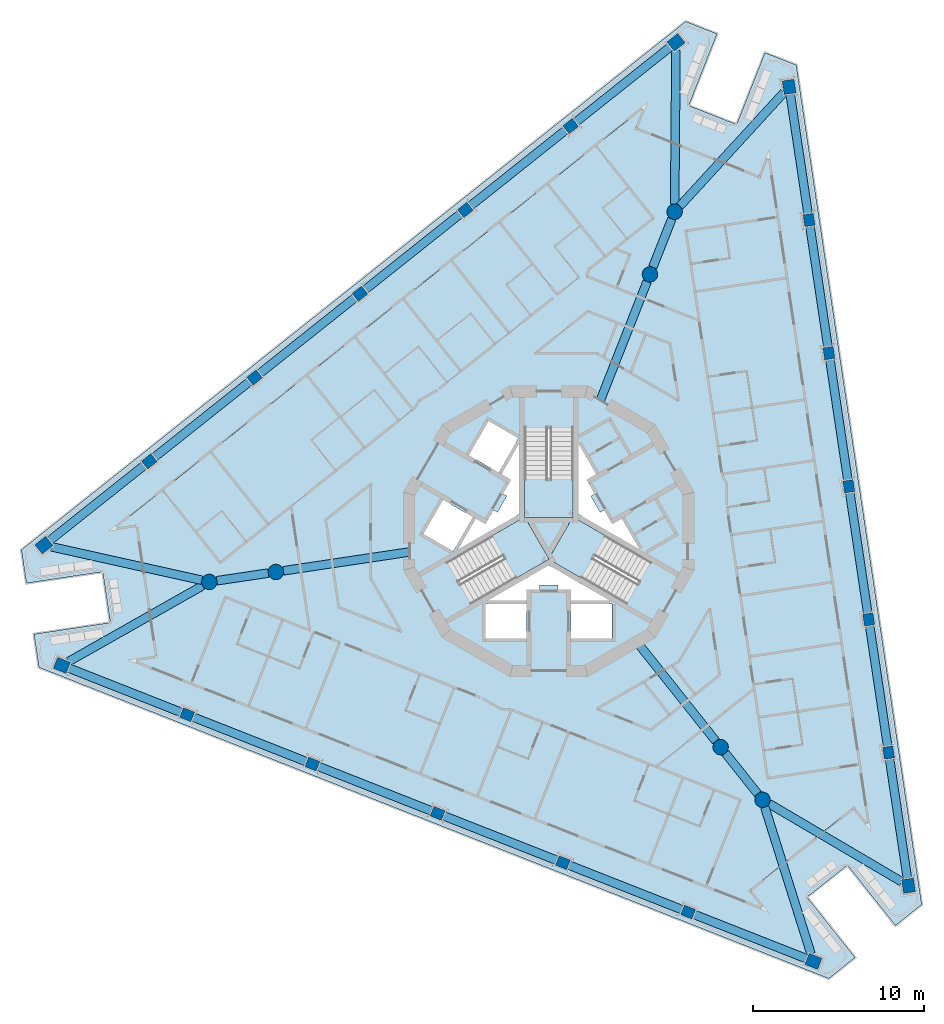
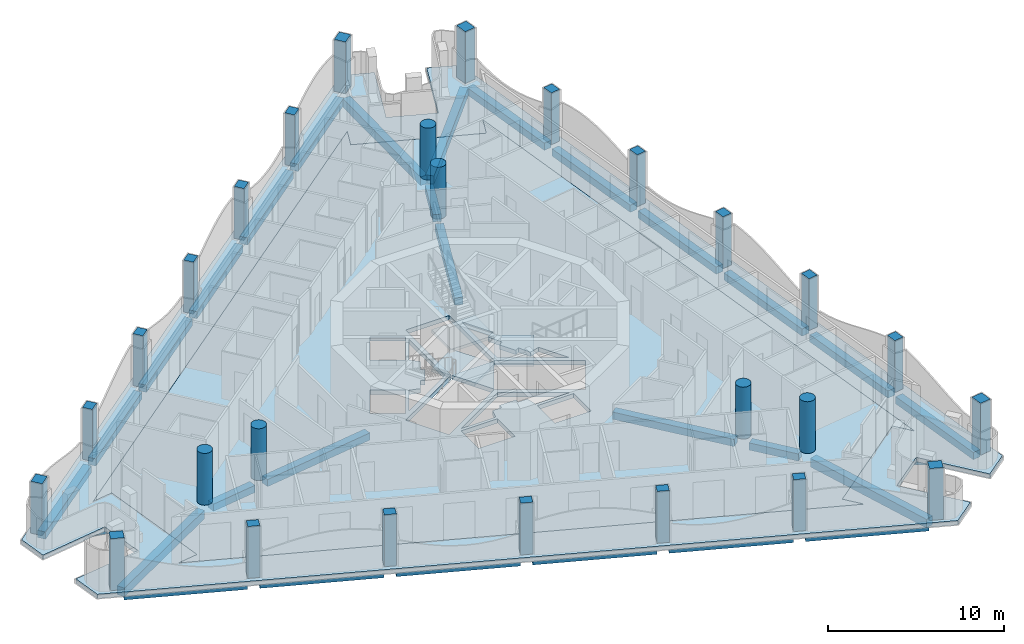
# One storey, part 1 of 17: 30 beams, 27 columns, 6 slabs, 3 elements without a shape of their own.
"""IFC4 building model written with IfcOpenShell, lengths in metres."""

from ifc_helpers import new_model, si_unit, direction, frame, origin, origin_2d, place, context, subcontext, project, spatial, polyline, rectangle, circle, outline, extrude, material, layer, layer_set, material_profile, profile_set, type_object, element, aggregate, save


model = new_model("IFC4")

# Units and contexts
model_context = context("Model", 3, precision=1e-05, world=origin(), true_north=direction((0.0, 1.0)))
body_context = subcontext(model_context, "Body", "Model", "MODEL_VIEW")
ifc_project = project(units=[si_unit("LENGTHUNIT", "METRE"), si_unit("AREAUNIT", "SQUARE_METRE"), si_unit("VOLUMEUNIT", "CUBIC_METRE"), si_unit("PLANEANGLEUNIT", "RADIAN"), si_unit("MASSUNIT", "GRAM", prefix="KILO")], contexts=[model_context])

# Site, building, storey
site_placement = place(None, origin())
site = spatial("IfcSite", under=ifc_project, at=site_placement, CompositionType="ELEMENT")
building_placement = place(site_placement, origin())
building = spatial("IfcBuilding", under=site, at=building_placement, Name="Trine Commons Tower", CompositionType="ELEMENT")
storey_placement = place(building_placement, frame((0.0, 0.0, 212.39990234375)))
storey = spatial("IfcBuildingStorey", under=building, at=storey_placement, Name="L55", CompositionType="ELEMENT", Elevation=212.39990234375)

# Columns
ifc_material_1 = material(Name="Concrete C60/75", Category="concrete")
ifc_material_profile_1 = material_profile(ifc_material_1, rectangle(XDim=0.699951171875, YDim=0.60009765625, at=origin_2d()), Name="RC 700x600")
ifc_profile_set_1 = profile_set([ifc_material_profile_1], Name="Concrete C60/75")
column_type_1 = type_object("IfcColumnType", Name="RC column 700x600, C60/75", PredefinedType="COLUMN", material=ifc_profile_set_1)
for number, where, z_axis, x_axis, name in (
    (1, (88.125, 40.285888671875, 0.0), (0.0, 0.0, 1.0), (-0.930417567982, 0.366501226724, 0.0), "Column PC6-02 L55"),
    (2, (80.82080078125, 43.1630859375, 0.0), (0.0, 0.0, 1.0), (-0.930417567982, 0.366501226724, 0.0), "Column PC6-03 L55"),
    (3, (73.516357421875, 46.04052734375, 0.0), (0.0, 0.0, 1.0), (-0.930417567982, 0.366501226724, 0.0), "Column PC6-04 L55"),
    (4, (66.212158203125, 48.917724609375, 0.0), (0.0, 0.0, 1.0), (-0.930417567982, 0.366501226724, 0.0), "Column PC6-05 L55"),
    (5, (58.90771484375, 51.794921875, 0.0), (0.0, 0.0, 1.0), (-0.930417567982, 0.366501226724, 0.0), "Column PC6-06 L55"),
    (6, (56.699462890625, 66.570556640625, 0.0), (0.0, 0.0, 1.0), (0.782608156852, 0.622514636638, 0.0), "Column PC6-09 L55"),
    (7, (62.843505859375, 71.45751953125, 0.0), (0.0, 0.0, 1.0), (0.782608156852, 0.622514636638, 0.0), "Column PC6-10 L55"),
    (8, (68.9873046875, 76.3447265625, 0.0), (0.0, 0.0, 1.0), (0.782608156852, 0.622514636638, 0.0), "Column PC6-11 L55"),
    (9, (75.13134765625, 81.231689453125, 0.0), (0.0, 0.0, 1.0), (0.782608156852, 0.622514636638, 0.0), "Column PC6-12 L55"),
    (10, (81.275390625, 86.118896484375, 0.0), (0.0, 0.0, 1.0), (0.782608156852, 0.622514636638, 0.0), "Column PC6-13 L55"),
    (11, (95.17529296875, 80.6435546875, 0.0), (0.0, 0.0, 1.0), (-0.14780941113, 0.989015863362, 0.0), "Column PC6-16 L55"),
    (12, (96.335693359375, 72.879150390625, 0.0), (0.0, 0.0, 1.0), (-0.14780941113, 0.989015863362, 0.0), "Column PC6-17 L55"),
    (13, (97.49609375, 65.11474609375, 0.0), (0.0, 0.0, 1.0), (-0.14780941113, 0.989015863362, 0.0), "Column PC6-18 L55"),
    (14, (98.656494140625, 57.350341796875, 0.0), (0.0, 0.0, 1.0), (-0.14780941113, 0.989015863362, 0.0), "Column PC6-19 L55"),
    (15, (99.81689453125, 49.586181640625, 0.0), (0.0, 0.0, 1.0), (-0.14780941113, 0.989015863362, 0.0), "Column PC6-20 L55"),
):
    element("IfcColumn", number, at=place(storey_placement, frame(where, z_axis=z_axis, x_axis=x_axis)), inside=storey, type_object=column_type_1, Name=name, PredefinedType="COLUMN", context=body_context, shape_type="SweptSolid", body=[
        extrude(rectangle(XDim=0.699951171875, YDim=0.60009765625, at=origin_2d()), origin(), (0.0, 0.0, 1.0), 3.60009765625),
    ])
ifc_material_profile_2 = material_profile(ifc_material_1, rectangle(XDim=0.800048828125, YDim=0.699951171875, at=origin_2d()), Name="RC 800x700")
ifc_profile_set_2 = profile_set([ifc_material_profile_2], Name="Concrete C60/75")
column_type_2 = type_object("IfcColumnType", Name="RC column 800x700, C60/75", PredefinedType="COLUMN", material=ifc_profile_set_2)
for number, where, z_axis, x_axis, name in (
    (16, (95.429443359375, 37.40869140625, 0.0), (0.0, 0.0, 1.0), (-0.930417567982, 0.366501226724, 0.0), "Column PC6-01 L55"),
    (17, (51.603515625, 54.67236328125, 0.0), (0.0, 0.0, 1.0), (-0.930417567982, 0.366501226724, 0.0), "Column PC6-07 L55"),
    (18, (50.5556640625, 61.683349609375, 0.0), (0.0, 0.0, 1.0), (0.782608156852, 0.622514636638, 0.0), "Column PC6-08 L55"),
    (19, (87.419189453125, 91.006103515625, 0.0), (0.0, 0.0, 1.0), (0.782608156852, 0.622514636638, 0.0), "Column PC6-14 L55"),
    (20, (94.014892578125, 88.407958984375, 0.0), (0.0, 0.0, 1.0), (-0.14780941113, 0.989015863362, 0.0), "Column PC6-15 L55"),
    (21, (100.977294921875, 41.82177734375, 0.0), (0.0, 0.0, 1.0), (-0.14780941113, 0.989015863362, 0.0), "Column PC6-21 L55"),
):
    element("IfcColumn", number, at=place(storey_placement, frame(where, z_axis=z_axis, x_axis=x_axis)), inside=storey, type_object=column_type_2, Name=name, PredefinedType="COLUMN", context=body_context, shape_type="SweptSolid", body=[
        extrude(rectangle(XDim=0.800048828125, YDim=0.699951171875, at=origin_2d()), origin(), (0.0, 0.0, 1.0), 3.60009765625),
    ])
ifc_material_profile_3 = material_profile(ifc_material_1, circle(Radius=0.449951171875, at=origin_2d()), Name="RC round 900")
ifc_profile_set_3 = profile_set([ifc_material_profile_3], Name="Concrete C60/75")
column_type_3 = type_object("IfcColumnType", Name="RC round column 900 mm, C60/75", PredefinedType="COLUMN", material=ifc_profile_set_3)
for number, where, z_axis, x_axis, name in (
    (22, (90.018798828125, 49.90478515625, 0.0), (0.0, 0.0, 1.0), (1.0, 0.0, 0.0), "Column WC6-1 L55"),
    (23, (92.461669921875, 46.83349609375, 0.0), (0.0, 0.0, 1.0), (1.0, 0.0, 0.0), "Column WC6-2 L55"),
    (24, (85.8984375, 77.47412109375, 0.0), (0.0, 0.0, 1.0), (1.0, 0.0, 0.0), "Column WC6-3 L55"),
    (25, (87.336669921875, 81.125244140625, 0.0), (0.0, 0.0, 1.0), (1.0, 0.0, 0.0), "Column WC6-4 L55"),
    (26, (64.082763671875, 60.12109375, 0.0), (0.0, 0.0, 1.0), (1.0, 0.0, 0.0), "Column WC6-5 L55"),
    (27, (60.20166015625, 59.541015625, 0.0), (0.0, 0.0, 1.0), (1.0, 0.0, 0.0), "Column WC6-6 L55"),
):
    element("IfcColumn", number, at=place(storey_placement, frame(where, z_axis=z_axis, x_axis=x_axis)), inside=storey, type_object=column_type_3, Name=name, PredefinedType="COLUMN", context=body_context, shape_type="SweptSolid", body=[
        extrude(circle(Radius=0.449951171875, at=origin_2d()), origin(), (0.0, 0.0, 1.0), 3.60009765625),
    ])

# Beams
ifc_material_2 = material(Name="Concrete C40/50", Category="concrete")
ifc_material_profile_4 = material_profile(ifc_material_2, rectangle(XDim=0.5, YDim=0.5, at=origin_2d()), Name="RC 500x500")
ifc_profile_set_4 = profile_set([ifc_material_profile_4], Name="Concrete C40/50")
beam_type_1 = type_object("IfcBeamType", Name="RC beam 500x500, C40/50", PredefinedType="BEAM", material=ifc_profile_set_4)
beam_1_placement = place(storey_placement, frame((95.05712890625, 37.555419921875, -0.5498046875), z_axis=(-0.930420117749, 0.366494753699, 0.0), x_axis=(-0.366494753699, -0.930420117749, 0.0)))
element("IfcBeam", 28, at=beam_1_placement, inside=storey, type_object=beam_type_1, Name="Beam EB6-01 L55", PredefinedType="BEAM", context=body_context, shape_type="SweptSolid", body=[
    extrude(rectangle(XDim=0.5, YDim=0.5, at=origin_2d()), origin(), (0.0, 0.0, 1.0), 7.1005859375),
])
for number, where, z_axis, x_axis, name in (
    (29, (87.799560546875, 40.414306640625, -0.5498046875), (-0.93042285796, 0.366487797048, 0.0), (-0.366487797048, -0.93042285796, 0.0), "Beam EB6-02 L55"),
    (30, (80.4951171875, 43.29150390625, -0.5498046875), (-0.93042285796, 0.366487797048, 0.0), (-0.366487797048, -0.93042285796, 0.0), "Beam EB6-03 L55"),
):
    element("IfcBeam", number, at=place(storey_placement, frame(where, z_axis=z_axis, x_axis=x_axis)), inside=storey, type_object=beam_type_1, Name=name, PredefinedType="BEAM", context=body_context, shape_type="SweptSolid", body=[
        extrude(rectangle(XDim=0.5, YDim=0.5, at=origin_2d()), origin(), (0.0, 0.0, 1.0), 7.150634765625),
    ])
beam_2_placement = place(storey_placement, frame((73.19091796875, 46.168701171875, -0.5498046875), z_axis=(-0.930427443561, 0.366476155115, 0.0), x_axis=(-0.366476155115, -0.930427443561, 0.0)))
element("IfcBeam", 31, at=beam_2_placement, inside=storey, type_object=beam_type_1, Name="Beam EB6-04 L55", PredefinedType="BEAM", context=body_context, shape_type="SweptSolid", body=[
    extrude(rectangle(XDim=0.5, YDim=0.5, at=origin_2d()), origin(), (0.0, 0.0, 1.0), 7.15087890625),
])
beam_3_placement = place(storey_placement, frame((65.886474609375, 49.0458984375, -0.5498046875), z_axis=(-0.930411215363, 0.366517353378, 0.0), x_axis=(-0.366517353378, -0.930411215363, 0.0)))
element("IfcBeam", 32, at=beam_3_placement, inside=storey, type_object=beam_type_1, Name="Beam EB6-05 L55", PredefinedType="BEAM", context=body_context, shape_type="SweptSolid", body=[
    extrude(rectangle(XDim=0.5, YDim=0.5, at=origin_2d()), origin(), (0.0, 0.0, 1.0), 7.150634765625),
])
beam_4_placement = place(storey_placement, frame((58.582275390625, 51.92333984375, -0.5498046875), z_axis=(-0.930424735877, 0.366483029441, 0.0), x_axis=(-0.366483029441, -0.930424735877, 0.0)))
element("IfcBeam", 33, at=beam_4_placement, inside=storey, type_object=beam_type_1, Name="Beam EB6-06 L55", PredefinedType="BEAM", context=body_context, shape_type="SweptSolid", body=[
    extrude(rectangle(XDim=0.5, YDim=0.5, at=origin_2d()), origin(), (0.0, 0.0, 1.0), 7.100830078125),
])
beam_5_placement = place(storey_placement, frame((50.86865234375, 61.932373046875, -0.5498046875), z_axis=(0.782606764813, 0.622516386667, 0.0), x_axis=(-0.622516386667, 0.782606764813, 0.0)))
element("IfcBeam", 34, at=beam_5_placement, inside=storey, type_object=beam_type_1, Name="Beam EB6-07 L55", PredefinedType="BEAM", context=body_context, shape_type="SweptSolid", body=[
    extrude(rectangle(XDim=0.5, YDim=0.5, at=origin_2d()), origin(), (0.0, 0.0, 1.0), 7.1005859375),
])
beam_6_placement = place(storey_placement, frame((56.973388671875, 66.788330078125, -0.5498046875), z_axis=(0.78260785881, 0.622515011329, 0.0), x_axis=(-0.622515011329, 0.78260785881, 0.0)))
element("IfcBeam", 35, at=beam_6_placement, inside=storey, type_object=beam_type_1, Name="Beam EB6-08 L55", PredefinedType="BEAM", context=body_context, shape_type="SweptSolid", body=[
    extrude(rectangle(XDim=0.5, YDim=0.5, at=origin_2d()), origin(), (0.0, 0.0, 1.0), 7.150634765625),
])
beam_7_placement = place(storey_placement, frame((63.117431640625, 71.675537109375, -0.5498046875), z_axis=(0.782611261581, 0.622510733439, 0.0), x_axis=(-0.622510733439, 0.782611261581, 0.0)))
element("IfcBeam", 36, at=beam_7_placement, inside=storey, type_object=beam_type_1, Name="Beam EB6-09 L55", PredefinedType="BEAM", context=body_context, shape_type="SweptSolid", body=[
    extrude(rectangle(XDim=0.5, YDim=0.5, at=origin_2d()), origin(), (0.0, 0.0, 1.0), 7.150390625),
])
for number, where, z_axis, x_axis, name in (
    (37, (69.26123046875, 76.5625, -0.5498046875), (0.78260785881, 0.622515011329, 0.0), (-0.622515011329, 0.78260785881, 0.0), "Beam EB6-10 L55"),
    (38, (75.4052734375, 81.44970703125, -0.5498046875), (0.782624492464, 0.622494099407, 0.0), (-0.622494099407, 0.782624492464, 0.0), "Beam EB6-11 L55"),
):
    element("IfcBeam", number, at=place(storey_placement, frame(where, z_axis=z_axis, x_axis=x_axis)), inside=storey, type_object=beam_type_1, Name=name, PredefinedType="BEAM", context=body_context, shape_type="SweptSolid", body=[
        extrude(rectangle(XDim=0.5, YDim=0.5, at=origin_2d()), origin(), (0.0, 0.0, 1.0), 7.150634765625),
    ])
beam_8_placement = place(storey_placement, frame((81.54931640625, 86.3369140625, -0.5498046875), z_axis=(0.782606764813, 0.622516386667, 0.0), x_axis=(-0.622516386667, 0.782606764813, 0.0)))
element("IfcBeam", 39, at=beam_8_placement, inside=storey, type_object=beam_type_1, Name="Beam EB6-12 L55", PredefinedType="BEAM", context=body_context, shape_type="SweptSolid", body=[
    extrude(rectangle(XDim=0.5, YDim=0.5, at=origin_2d()), origin(), (0.0, 0.0, 1.0), 7.1005859375),
])
beam_9_placement = place(storey_placement, frame((94.07421875, 88.01220703125, -0.5498046875), z_axis=(0.147815848306, -0.989014901298, 0.0), x_axis=(0.989014901298, 0.147815848306, 0.0)))
element("IfcBeam", 40, at=beam_9_placement, inside=storey, type_object=beam_type_1, Name="Beam EB6-13 L55", PredefinedType="BEAM", context=body_context, shape_type="SweptSolid", body=[
    extrude(rectangle(XDim=0.5, YDim=0.5, at=origin_2d()), origin(), (0.0, 0.0, 1.0), 7.100341796875),
])
for number, where, z_axis, x_axis, name in (
    (41, (95.22705078125, 80.29736328125, -0.5498046875), (0.147804496566, -0.989016597836, 0.0), (0.989016597836, 0.147804496566, 0.0), "Beam EB6-14 L55"),
    (42, (96.387451171875, 72.532958984375, -0.5498046875), (0.147804496566, -0.989016597836, 0.0), (0.989016597836, 0.147804496566, 0.0), "Beam EB6-15 L55"),
    (43, (97.5478515625, 64.7685546875, -0.5498046875), (0.147804496566, -0.989016597836, 0.0), (0.989016597836, 0.147804496566, 0.0), "Beam EB6-16 L55"),
):
    element("IfcBeam", number, at=place(storey_placement, frame(where, z_axis=z_axis, x_axis=x_axis)), inside=storey, type_object=beam_type_1, Name=name, PredefinedType="BEAM", context=body_context, shape_type="SweptSolid", body=[
        extrude(rectangle(XDim=0.5, YDim=0.5, at=origin_2d()), origin(), (0.0, 0.0, 1.0), 7.150634765625),
    ])
beam_10_placement = place(storey_placement, frame((98.708251953125, 57.004150390625, -0.5498046875), z_axis=(0.147809487776, -0.989015851907, 0.0), x_axis=(0.989015851907, 0.147809487776, 0.0)))
element("IfcBeam", 44, at=beam_10_placement, inside=storey, type_object=beam_type_1, Name="Beam EB6-17 L55", PredefinedType="BEAM", context=body_context, shape_type="SweptSolid", body=[
    extrude(rectangle(XDim=0.5, YDim=0.5, at=origin_2d()), origin(), (0.0, 0.0, 1.0), 7.150390625),
])
beam_11_placement = place(storey_placement, frame((99.86865234375, 49.239990234375, -0.5498046875), z_axis=(0.14781082184, -0.989015652529, 0.0), x_axis=(0.989015652529, 0.14781082184, 0.0)))
element("IfcBeam", 45, at=beam_11_placement, inside=storey, type_object=beam_type_1, Name="Beam EB6-18 L55", PredefinedType="BEAM", context=body_context, shape_type="SweptSolid", body=[
    extrude(rectangle(XDim=0.5, YDim=0.5, at=origin_2d()), origin(), (0.0, 0.0, 1.0), 7.1005859375),
])
beam_12_placement = place(storey_placement, frame((85.101318359375, 56.0869140625, -0.5498046875), z_axis=(0.622498476125, -0.782621011232, 0.0), x_axis=(0.782621011232, 0.622498476125, 0.0)))
element("IfcBeam", 46, at=beam_12_placement, inside=storey, type_object=beam_type_1, Name="Beam RB6-01 L55", PredefinedType="BEAM", context=body_context, shape_type="SweptSolid", body=[
    extrude(rectangle(XDim=0.5, YDim=0.5, at=origin_2d()), origin(), (0.0, 0.0, 1.0), 7.44970703125),
])
beam_13_placement = place(storey_placement, frame((90.298583984375, 49.552734375, -0.5498046875), z_axis=(0.622497726794, -0.782621607251, 0.0), x_axis=(0.782621607251, 0.622497726794, 0.0)))
element("IfcBeam", 47, at=beam_13_placement, inside=storey, type_object=beam_type_1, Name="Beam RB6-02 L55", PredefinedType="BEAM", context=body_context, shape_type="SweptSolid", body=[
    extrude(rectangle(XDim=0.5, YDim=0.5, at=origin_2d()), origin(), (0.0, 0.0, 1.0), 3.02490234375),
])
beam_14_placement = place(storey_placement, frame((83.00341796875, 70.12451171875, -0.5498046875), z_axis=(0.366497867563, 0.930418891184, 0.0), x_axis=(-0.930418891184, 0.366497867563, 0.0)))
element("IfcBeam", 48, at=beam_14_placement, inside=storey, type_object=beam_type_1, Name="Beam RB6-03 L55", PredefinedType="BEAM", context=body_context, shape_type="SweptSolid", body=[
    extrude(rectangle(XDim=0.5, YDim=0.5, at=origin_2d()), origin(), (0.0, 0.0, 1.0), 7.449462890625),
])
beam_15_placement = place(storey_placement, frame((86.063232421875, 77.892578125, -0.5498046875), z_axis=(0.366528753051, 0.930406724603, 0.0), x_axis=(-0.930406724603, 0.366528753051, 0.0)))
element("IfcBeam", 49, at=beam_15_placement, inside=storey, type_object=beam_type_1, Name="Beam RB6-04 L55", PredefinedType="BEAM", context=body_context, shape_type="SweptSolid", body=[
    extrude(rectangle(XDim=0.5, YDim=0.5, at=origin_2d()), origin(), (0.0, 0.0, 1.0), 3.024658203125),
])
beam_16_placement = place(storey_placement, frame((71.8955078125, 61.288818359375, -0.5498046875), z_axis=(-0.989013138411, -0.147827643054, 0.0), x_axis=(0.147827643054, -0.989013138411, 0.0)))
element("IfcBeam", 50, at=beam_16_placement, inside=storey, type_object=beam_type_1, Name="Beam RB6-05 L55", PredefinedType="BEAM", context=body_context, shape_type="SweptSolid", body=[
    extrude(rectangle(XDim=0.5, YDim=0.5, at=origin_2d()), origin(), (0.0, 0.0, 1.0), 7.449951171875),
])
beam_17_placement = place(storey_placement, frame((63.63818359375, 60.0546875, -0.5498046875), z_axis=(-0.989011987503, -0.14783534278, 0.0), x_axis=(0.14783534278, -0.989011987503, 0.0)))
element("IfcBeam", 51, at=beam_17_placement, inside=storey, type_object=beam_type_1, Name="Beam RB6-06 L55", PredefinedType="BEAM", context=body_context, shape_type="SweptSolid", body=[
    extrude(rectangle(XDim=0.5, YDim=0.5, at=origin_2d()), origin(), (0.0, 0.0, 1.0), 3.025390625),
])
ifc_material_profile_5 = material_profile(ifc_material_2, rectangle(XDim=0.5, YDim=0.60009765625, at=origin_2d()), Name="RC 500x600")
ifc_profile_set_5 = profile_set([ifc_material_profile_5], Name="Concrete C40/50")
beam_type_2 = type_object("IfcBeamType", Name="RC beam 500x600, C40/50", PredefinedType="BEAM", material=ifc_profile_set_5)
for number, where, z_axis, x_axis, name in (
    (52, (51.9951171875, 54.89404296875, -0.599853515625), (0.870168672724, 0.492753976148, 0.0), (-0.492753976148, 0.870168672724, 0.0), "Beam CB6-01 L55"),
    (53, (50.9951171875, 61.585693359375, -0.599853515625), (0.976218391118, -0.216789420505, 0.0), (0.216789420505, 0.976218391118, 0.0), "Beam CB6-02 L55"),
):
    element("IfcBeam", number, at=place(storey_placement, frame(where, z_axis=z_axis, x_axis=x_axis)), inside=storey, type_object=beam_type_2, Name=name, PredefinedType="BEAM", context=body_context, shape_type="SweptSolid", body=[
        extrude(rectangle(XDim=0.5, YDim=0.60009765625, at=origin_2d()), origin(), (0.0, 0.0, 1.0), 8.981201171875),
    ])
beam_18_placement = place(storey_placement, frame((87.41552734375, 90.555908203125, -0.599853515625), z_axis=(-0.008345502486, -0.999965175688, 0.0), x_axis=(0.999965175688, -0.008345502486, 0.0)))
element("IfcBeam", 54, at=beam_18_placement, inside=storey, type_object=beam_type_2, Name="Beam CB6-03 L55", PredefinedType="BEAM", context=body_context, shape_type="SweptSolid", body=[
    extrude(rectangle(XDim=0.5, YDim=0.60009765625, at=origin_2d()), origin(), (0.0, 0.0, 1.0), 8.98095703125),
])
beam_19_placement = place(storey_placement, frame((93.710693359375, 88.076171875, -0.599853515625), z_axis=(-0.675864939366, -0.737025497344, 0.0), x_axis=(0.737025497344, -0.675864939366, 0.0)))
element("IfcBeam", 55, at=beam_19_placement, inside=storey, type_object=beam_type_2, Name="Beam CB6-04 L55", PredefinedType="BEAM", context=body_context, shape_type="SweptSolid", body=[
    extrude(rectangle(XDim=0.5, YDim=0.60009765625, at=origin_2d()), origin(), (0.0, 0.0, 1.0), 8.9814453125),
])
for number, where, z_axis, x_axis, name in (
    (56, (100.58935546875, 42.050048828125, -0.599853515625), (-0.861820288966, 0.507213751319, 0.0), (-0.507213751319, -0.861820288966, 0.0), "Beam CB6-05 L55"),
    (57, (95.294189453125, 37.838134765625, -0.599853515625), (-0.300354576277, 0.953827619913, 0.0), (-0.953827619913, -0.300354576277, 0.0), "Beam CB6-06 L55"),
):
    element("IfcBeam", number, at=place(storey_placement, frame(where, z_axis=z_axis, x_axis=x_axis)), inside=storey, type_object=beam_type_2, Name=name, PredefinedType="BEAM", context=body_context, shape_type="SweptSolid", body=[
        extrude(rectangle(XDim=0.5, YDim=0.60009765625, at=origin_2d()), origin(), (0.0, 0.0, 1.0), 8.981201171875),
    ])

# Slabs
ifc_layer_1 = layer(ifc_material_2, 0.300048828125)
ifc_layer_set_1 = layer_set([ifc_layer_1], Name="Concrete C40/50")
slab_type_1 = type_object("IfcSlabType", Name="Loggia slab 300 mm, C40/50", PredefinedType="FLOOR", material=ifc_layer_set_1)
slab_1_placement = place(storey_placement, frame((0.0, 0.0, -0.2998046875)))
element("IfcSlab", 58, at=slab_1_placement, inside=storey, type_object=slab_type_1, Name="Loggia slab L55", PredefinedType="FLOOR", context=body_context, shape_type="SweptSolid", body=[
    extrude(outline(polyline([(101.748046875, 40.7236328125), (94.430908203125, 89.683349609375), (92.603515625, 90.4033203125), (90.954345703125, 86.21630859375), (88.1630859375, 87.31591796875), (89.812255859375, 91.502685546875), (87.98486328125, 92.22265625), (49.242919921875, 61.406005859375), (49.533203125, 59.46337890625), (53.98388671875, 60.12841796875), (54.42724609375, 57.16162109375), (49.976806640625, 56.496337890625), (50.26708984375, 54.5537109375), (96.325927734375, 36.41064453125), (97.86328125, 37.63330078125), (95.061767578125, 41.155029296875), (97.40966796875, 43.022705078125), (100.2109375, 39.5009765625), (101.748046875, 40.7236328125)]), holes=[polyline([(56.002685546875, 62.85693359375), (57.15576171875, 55.142578125), (55.825439453125, 54.94384765625), (92.52685546875, 40.48681640625), (91.689453125, 41.539306640625), (97.7939453125, 46.39501953125), (98.631103515625, 45.34228515625), (92.80078125, 84.355224609375), (92.3076171875, 83.103759765625), (85.050537109375, 85.96240234375), (85.54345703125, 87.2138671875), (54.672607421875, 62.658203125), (56.002685546875, 62.85693359375)])]), origin(), (0.0, 0.0, 1.0), 0.2998046875),
])
ifc_layer_2 = layer(ifc_material_2, 0.300048828125)
ifc_layer_set_2 = layer_set([ifc_layer_2], Name="Concrete C40/50")
slab_type_2 = type_object("IfcSlabType", Name="PT flat slab 300 mm, C40/50", PredefinedType="FLOOR", material=ifc_layer_set_2)
slab_2_placement = place(storey_placement, frame((0.0, 0.0, -0.2998046875)))
element("IfcSlab", 59, at=slab_2_placement, inside=storey, type_object=slab_type_2, Name="Floor slab L55", PredefinedType="FLOOR", context=body_context, shape_type="SweptSolid", body=[
    extrude(outline(polyline([(54.672607421875, 62.658203125), (56.002685546875, 62.85693359375), (57.15576171875, 55.142578125), (55.825439453125, 54.94384765625), (92.52685546875, 40.48681640625), (91.689453125, 41.539306640625), (97.7939453125, 46.39501953125), (98.631103515625, 45.34228515625), (92.80078125, 84.355224609375), (92.3076171875, 83.103759765625), (85.050537109375, 85.96240234375), (85.54345703125, 87.2138671875), (54.672607421875, 62.658203125)]), holes=[polyline([(78.699951171875, 56.25), (78.699951171875, 58.25), (76.300048828125, 58.25), (76.300048828125, 56.25), (78.699951171875, 56.25)]), polyline([(83.699951171875, 56.25), (83.699951171875, 58.25), (81.300048828125, 58.25), (81.300048828125, 56.25), (83.699951171875, 56.25)]), polyline([(81.300048828125, 58.449951171875), (83.56494140625, 58.449951171875), (80.0, 60.508056640625), (76.43505859375, 58.449951171875), (78.699951171875, 58.449951171875), (78.85009765625, 59.10009765625), (79.449951171875, 59.10009765625), (79.449951171875, 59.360107421875), (80.550048828125, 59.360107421875), (80.550048828125, 59.10009765625), (81.14990234375, 59.10009765625), (81.300048828125, 58.449951171875)]), polyline([(81.425048828125, 63.32275390625), (81.425048828125, 68.490478515625), (78.574951171875, 68.490478515625), (78.574951171875, 63.32275390625), (74.099609375, 60.73876953125), (75.5244140625, 58.2705078125), (80.0, 60.8544921875), (84.4755859375, 58.2705078125), (85.900390625, 60.73876953125), (81.425048828125, 63.32275390625)]), polyline([(72.687255859375, 62.333984375), (74.41943359375, 61.333984375), (75.5693359375, 63.325927734375), (73.83740234375, 64.325927734375), (72.687255859375, 62.333984375)]), polyline([(76.381103515625, 63.031005859375), (75.742919921875, 63.22607421875), (74.7099609375, 61.43798828125), (78.27490234375, 63.49609375), (78.27490234375, 67.612060546875), (77.242919921875, 65.823974609375), (77.73095703125, 65.368896484375), (77.3310546875, 64.676025390625), (77.555908203125, 64.5458984375), (77.006103515625, 63.593994140625), (76.781005859375, 63.722900390625), (76.381103515625, 63.031005859375)]), polyline([(82.993896484375, 63.593994140625), (82.444091796875, 64.5458984375), (82.72705078125, 64.7099609375), (82.281005859375, 65.549072265625), (82.757080078125, 65.823974609375), (81.72509765625, 67.612060546875), (81.72509765625, 63.49609375), (85.2900390625, 61.43798828125), (84.257080078125, 63.22607421875), (83.618896484375, 63.031005859375), (83.243896484375, 63.738037109375), (82.993896484375, 63.593994140625)]), polyline([(76.4873046875, 68.916015625), (75.33740234375, 66.924072265625), (77.0693359375, 65.924072265625), (78.219482421875, 67.916015625), (76.4873046875, 68.916015625)])]), origin(), (0.0, 0.0, 1.0), 0.2998046875),
])
slab_3_placement = place(storey_placement, frame((0.0, 0.0, -0.2998046875)))
element("IfcSlab", 60, at=slab_3_placement, inside=storey, type_object=slab_type_2, Name="Floor slab L55 2", PredefinedType="FLOOR", context=body_context, shape_type="SweptSolid", body=[
    extrude(outline(polyline([(81.38671875, 63.300537109375), (78.61328125, 63.300537109375), (80.0, 60.89892578125), (81.38671875, 63.300537109375)])), origin(), (0.0, 0.0, 1.0), 0.2998046875),
])

# Stair, slab
ifc_material_3 = material(Name="Concrete C50/60", Category="concrete")
stair_type = type_object("IfcStairType", Name="Exit stair, dog-leg, 24 risers of 150 mm", PredefinedType="HALF_TURN_STAIR", material=ifc_material_3)
stair_1_placement = place(storey_placement, origin())
stair_1 = element("IfcStair", 61, at=stair_1_placement, inside=storey, type_object=stair_type, Name="L55 Exit stair ST1C", PredefinedType="HALF_TURN_STAIR")
ifc_layer_3 = layer(ifc_material_3, 0.199951171875)
ifc_layer_set_3 = layer_set([ifc_layer_3], Name="Concrete C50/60")
slab_type_3 = type_object("IfcSlabType", Name="Stair landing slab 200 mm, C50/60", PredefinedType="LANDING", material=ifc_layer_set_3)
slab_4_placement = place(storey_placement, frame((0.0, 0.0, 1.60009765625)))
slab_4 = element("IfcSlab", 62, at=slab_4_placement, type_object=slab_type_3, Name="ST1C landing 1", PredefinedType="LANDING", context=body_context, shape_type="SweptSolid", body=[
    extrude(outline(polyline([(78.574951171875, 65.570556640625), (78.574951171875, 63.300537109375), (81.425048828125, 63.300537109375), (81.425048828125, 65.570556640625), (78.574951171875, 65.570556640625)])), origin(), (0.0, 0.0, 1.0), 0.199951171875),
])
aggregate(stair_1, [slab_4])

stair_2_placement = place(storey_placement, origin())
stair_2 = element("IfcStair", 63, at=stair_2_placement, inside=storey, type_object=stair_type, Name="L55 Exit stair ST2C", PredefinedType="HALF_TURN_STAIR")
slab_5_placement = place(storey_placement, frame((0.0, 0.0, 1.60009765625)))
slab_5 = element("IfcSlab", 64, at=slab_5_placement, type_object=slab_type_3, Name="ST2C landing 1", PredefinedType="LANDING", context=body_context, shape_type="SweptSolid", body=[
    extrude(outline(polyline([(78.05322265625, 59.730712890625), (80.019287109375, 60.86572265625), (78.59423828125, 63.333740234375), (76.628173828125, 62.19873046875), (78.05322265625, 59.730712890625)])), origin(), (0.0, 0.0, 1.0), 0.199951171875),
])
aggregate(stair_2, [slab_5])

stair_3_placement = place(storey_placement, origin())
stair_3 = element("IfcStair", 65, at=stair_3_placement, inside=storey, type_object=stair_type, Name="L55 Exit stair ST3C", PredefinedType="HALF_TURN_STAIR")
slab_6_placement = place(storey_placement, frame((0.0, 0.0, 1.60009765625)))
slab_6 = element("IfcSlab", 66, at=slab_6_placement, type_object=slab_type_3, Name="ST3C landing 1", PredefinedType="LANDING", context=body_context, shape_type="SweptSolid", body=[
    extrude(outline(polyline([(83.371826171875, 62.19873046875), (81.40576171875, 63.333740234375), (79.980712890625, 60.86572265625), (81.94677734375, 59.730712890625), (83.371826171875, 62.19873046875)])), origin(), (0.0, 0.0, 1.0), 0.199951171875),
])
aggregate(stair_3, [slab_6])

save(model, "model.ifc")
